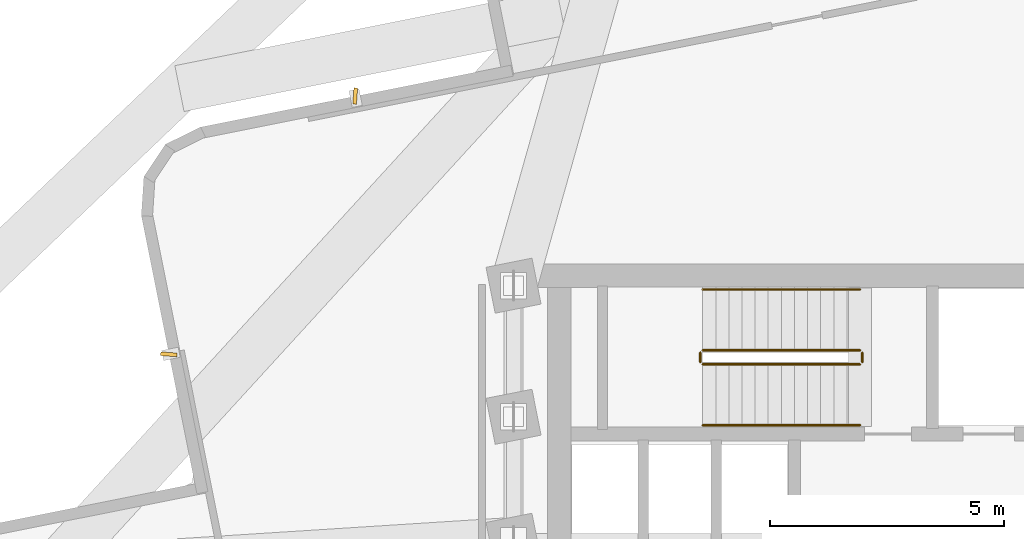
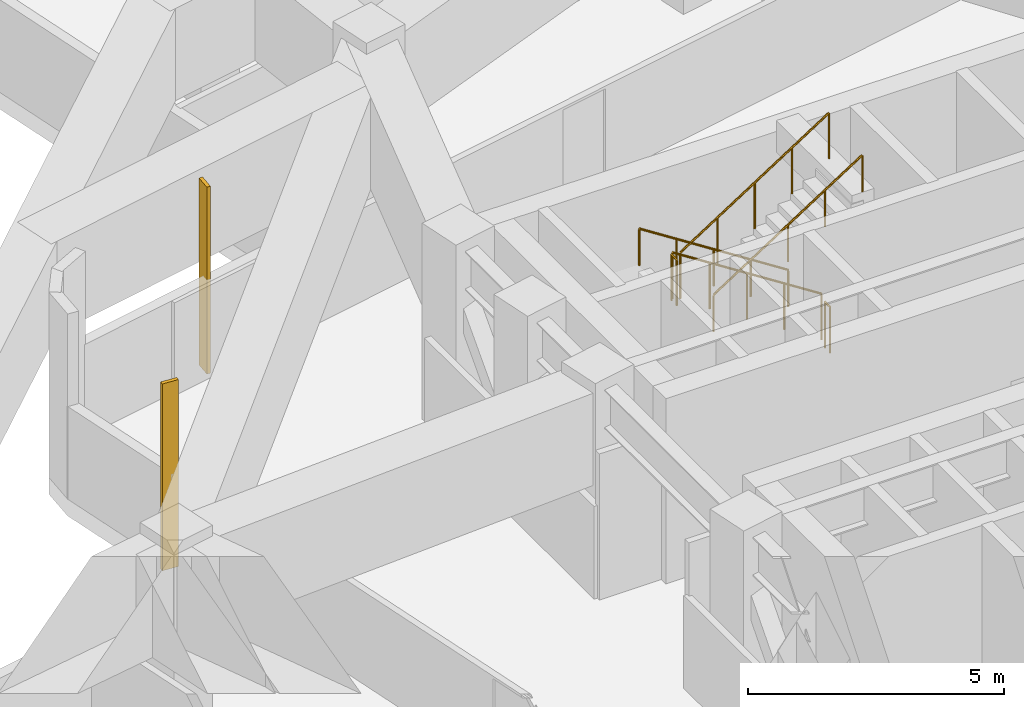
# One storey, part 7 of 7: 6 railings, 2 shading devices.
"""IFC4 building model written with IfcOpenShell, lengths in metres."""

import ifcopenshell
import ifcopenshell.guid

model = None  # the IFC model being written
_history = None  # IfcOwnerHistory: only IFC2X3 demands one
_inside = {}  # id of a spatial element -> (the spatial element, [elements in it])
_under = {}  # id of a project, library or spatial element -> (it, [spatial elements below it])
_declared = {}  # id of a project -> (the project, [libraries it declares])
_typed = {}  # id of a type object -> (the type object, [elements of that type])
_made_of = {}  # id of a material, layer set ... -> (it, [elements and type objects made of it])


def new_model(schema):
    """Start an empty IFC model of exactly this schema.

    Asked for "IFC4X3", IfcOpenShell would pick the latest addendum, in which some entities
    have other attributes; the version numbers below select the first issue.
    IFC2X3 requires an IfcOwnerHistory on every rooted entity: one is made here for all.
    """
    global model, _history
    if schema == "IFC4X3":
        model = ifcopenshell.file(schema_version=(4, 3, 0, 0))
    else:
        model = ifcopenshell.file(schema=schema)
    _inside.clear()
    _under.clear()
    _declared.clear()
    _typed.clear()
    _made_of.clear()
    _history = None
    if model.schema == "IFC2X3":
        org = make("IfcOrganization", Name="unknown")
        user = make(
            "IfcPersonAndOrganization",
            ThePerson=make("IfcPerson", FamilyName="unknown"),
            TheOrganization=org,
        )
        app = make(
            "IfcApplication",
            ApplicationDeveloper=org,
            Version="unknown",
            ApplicationFullName="unknown",
            ApplicationIdentifier="unknown",
        )
        _history = make(
            "IfcOwnerHistory",
            OwningUser=user,
            OwningApplication=app,
            ChangeAction="ADDED",
            CreationDate=0,
        )
    return model


def make(cls, **values):
    """One entity of the class cls with the attributes given. An attribute that is None is left unset."""
    return model.create_entity(
        cls, **{name: value for name, value in values.items() if value is not None}
    )


def rooted(cls, **values):
    """An entity with a GlobalId (a new one), such as an element, a storey or a relation."""
    return make(cls, GlobalId=ifcopenshell.guid.new(), OwnerHistory=_history, **values)


def si_unit(unit_type, name, prefix=None):
    """IfcSIUnit, for example si_unit("LENGTHUNIT", "METRE", prefix="MILLI")."""
    return make("IfcSIUnit", UnitType=unit_type, Prefix=prefix, Name=name)


def assignment(units):
    """IfcUnitAssignment: the units of a project."""
    return None if units is None else make("IfcUnitAssignment", Units=units)


def point(xyz):
    """IfcCartesianPoint."""
    return None if xyz is None else make("IfcCartesianPoint", Coordinates=xyz)


def direction(xyz):
    """IfcDirection."""
    return None if xyz is None else make("IfcDirection", DirectionRatios=xyz)


def frame(location, z_axis=None, x_axis=None):
    """IfcAxis2Placement3D, a coordinate frame: its origin and axes. An axis left out is left unset."""
    return make(
        "IfcAxis2Placement3D",
        Location=point(location),
        Axis=direction(z_axis),
        RefDirection=direction(x_axis),
    )


def frame_2d(location, x_axis=None):
    """IfcAxis2Placement2D, a coordinate frame in the plane: its origin and x axis."""
    return make(
        "IfcAxis2Placement2D", Location=point(location), RefDirection=direction(x_axis)
    )


def origin():
    """The frame at (0, 0, 0) with its axes left unset."""
    return frame((0.0, 0.0, 0.0))


def origin_2d():
    """The frame at (0, 0) in the plane with its x axis left unset."""
    return frame_2d((0.0, 0.0))


def place(relative_to, where):
    """IfcLocalPlacement: puts the frame where relative to a parent placement (None: the world)."""
    return make(
        "IfcLocalPlacement", PlacementRelTo=relative_to, RelativePlacement=where
    )


def context(
    kind, dimensions, precision=None, world=None, true_north=None, identifier=None
):
    """IfcGeometricRepresentationContext, for example the 3D "Model" context."""
    return make(
        "IfcGeometricRepresentationContext",
        ContextIdentifier=identifier,
        ContextType=kind,
        CoordinateSpaceDimension=dimensions,
        Precision=precision,
        WorldCoordinateSystem=world,
        TrueNorth=true_north,
    )


def subcontext(parent, identifier, kind, view, scale=None):
    """IfcGeometricRepresentationSubContext, for example "Body" below "Model"."""
    return make(
        "IfcGeometricRepresentationSubContext",
        ContextIdentifier=identifier,
        ContextType=kind,
        ParentContext=parent,
        TargetScale=scale,
        TargetView=view,
    )


def project(units=None, contexts=None):
    """IfcProject with its units and contexts."""
    return rooted(
        "IfcProject",
        Name="project",
        RepresentationContexts=contexts,
        UnitsInContext=assignment(units),
    )


def spatial(cls, under=None, at=None, **own):
    """A site, building, storey or space (cls), placed at a placement, below another one or the project."""
    s = rooted(cls, ObjectPlacement=at, **own)
    if under is not None:
        _under.setdefault(under.id(), (under, []))[1].append(s)
    return s


def profile(cls, at=None, kind="AREA", **sizes):
    """A parametric profile (cls). Its sizes go by their IFC names, for example OverallWidth=200.0."""
    return make(cls, ProfileType=kind, Position=at, **sizes)


def rectangle(**sizes):
    """IfcRectangleProfileDef."""
    return profile("IfcRectangleProfileDef", **sizes)


def circle(**sizes):
    """IfcCircleProfileDef."""
    return profile("IfcCircleProfileDef", **sizes)


def extrude(swept, where, along, depth):
    """IfcExtrudedAreaSolid: the profile swept, set in the frame where, extruded along a direction by depth."""
    return make(
        "IfcExtrudedAreaSolid",
        SweptArea=swept,
        Position=where,
        ExtrudedDirection=direction(along),
        Depth=depth,
    )


def shape(context_of_items, identifier, shape_type, items):
    """IfcShapeRepresentation: the items that make up one representation, for example the "Body"."""
    return make(
        "IfcShapeRepresentation",
        ContextOfItems=context_of_items,
        RepresentationIdentifier=identifier,
        RepresentationType=shape_type,
        Items=items,
    )


def material(Name=None, Category=None):
    """IfcMaterial."""
    return make("IfcMaterial", Name=Name, Category=Category)


def layer(
    of_material, thickness, ventilated=None, Name=None, Category=None, Priority=None
):
    """IfcMaterialLayer: one layer of a wall or slab, of a material (None: an air gap)."""
    return make(
        "IfcMaterialLayer",
        Material=of_material,
        LayerThickness=thickness,
        IsVentilated=ventilated,
        Name=Name,
        Category=Category,
        Priority=Priority,
    )


def layer_set(layers, Name=None):
    """IfcMaterialLayerSet."""
    return make("IfcMaterialLayerSet", MaterialLayers=layers, LayerSetName=Name)


def made_of(thing, what):
    """Note that an element or type object is made of a material, layer set ...; save() writes the relation."""
    if what is not None:
        _made_of.setdefault(what.id(), (what, []))[1].append(thing)
    return thing


def type_object(cls, material=None, **own):
    """A type object (cls), such as IfcWallType, which elements share."""
    return made_of(rooted(cls, **own), material)


def element(
    cls,
    number,
    at=None,
    inside=None,
    cuts=None,
    type_object=None,
    material=None,
    context=None,
    identifier="Body",
    shape_type=None,
    held_by="IfcProductDefinitionShape",
    body=None,
    shapes=None,
    **own,
):
    """One element of the class cls, such as IfcWall. Its Tag is "e" and its number.

    at: its placement. inside: the storey or other place that contains it. cuts: it is an
    opening in that element (IfcRelVoidsElement). A single representation is given by context,
    identifier, shape_type and body (its items); several are given by shapes. held_by: the class
    of the entity that holds the representations. save() writes the other relations.
    """
    e = rooted(cls, Tag="e%d" % number, ObjectPlacement=at, **own)
    if body is not None:
        shapes = [shape(context, identifier, shape_type, body)]
    if shapes is not None:
        e.Representation = make(held_by, Representations=shapes)
    if inside is not None:
        _inside.setdefault(inside.id(), (inside, []))[1].append(e)
    if cuts is not None:
        rooted(
            "IfcRelVoidsElement", RelatingBuildingElement=cuts, RelatedOpeningElement=e
        )
    if type_object is not None:
        _typed.setdefault(type_object.id(), (type_object, []))[1].append(e)
    return made_of(e, material)


def aggregate(whole, parts):
    """IfcRelAggregates: a whole, such as a stair, and the parts it consists of."""
    return rooted("IfcRelAggregates", RelatingObject=whole, RelatedObjects=parts)


def save(model, path):
    """Write the relations noted so far, then the file.

    IfcRelAggregates (storeys below a building ...), IfcRelContainedInSpatialStructure (elements
    in a storey), IfcRelDefinesByType, IfcRelAssociatesMaterial and IfcRelDeclares: one each for
    every whole, place, type object, material and project.
    """
    for whole, parts in _under.values():
        aggregate(whole, parts)
    for where, things in _inside.values():
        rooted(
            "IfcRelContainedInSpatialStructure",
            RelatedElements=things,
            RelatingStructure=where,
        )
    for kind, things in _typed.values():
        rooted("IfcRelDefinesByType", RelatedObjects=things, RelatingType=kind)
    for what, things in _made_of.values():
        rooted("IfcRelAssociatesMaterial", RelatedObjects=things, RelatingMaterial=what)
    for by, libraries in _declared.values():
        rooted("IfcRelDeclares", RelatingContext=by, RelatedDefinitions=libraries)
    model.write(path)


model = new_model("IFC4")

# Units and contexts
model_context = context("Model", 3, precision=1e-05, world=origin(), true_north=direction((0.0, 1.0)))
body_context = subcontext(model_context, "Body", "Model", "MODEL_VIEW")
ifc_project = project(units=[si_unit("LENGTHUNIT", "METRE"), si_unit("AREAUNIT", "SQUARE_METRE"), si_unit("VOLUMEUNIT", "CUBIC_METRE"), si_unit("PLANEANGLEUNIT", "RADIAN"), si_unit("MASSUNIT", "GRAM", prefix="KILO")], contexts=[model_context])

# Site, building, storey
site_placement = place(None, origin())
site = spatial("IfcSite", under=ifc_project, at=site_placement, CompositionType="ELEMENT")
building_placement = place(site_placement, origin())
building = spatial("IfcBuilding", under=site, at=building_placement, Name="Solmarez Civic Tower", CompositionType="ELEMENT")
storey_placement = place(building_placement, frame((0.0, 0.0, 107.280029296875)))
storey = spatial("IfcBuildingStorey", under=building, at=storey_placement, Name="L28", CompositionType="ELEMENT", Elevation=107.280029296875)

# Railings
ifc_material_1 = material(Name="Painted Steel Stairwell Safety Guard", Category="steel")
railing_type_1 = type_object("IfcRailingType", Name="GUARD-STAIR-1120", PredefinedType="BALUSTRADE", material=ifc_material_1)
railing_1_placement = place(storey_placement, frame((-1.449951171875, 6.969970703125, 0.179931640625)))
element("IfcRailing", 1, at=railing_1_placement, inside=storey, type_object=railing_type_1, Name="L28 ST-1 stair guard 1", PredefinedType="BALUSTRADE", context=body_context, shape_type="SweptSolid", body=[
    extrude(circle(Radius=0.02392578125, at=origin_2d()), frame((0.0, 0.0, 1.09619140625), z_axis=(-0.8411685463, 0.0, 0.540773036232), x_axis=(0.0, -1.0, 0.0)), (0.0, 0.0, 1.0), 3.99462890625),
    extrude(circle(Radius=0.02099609375, at=origin_2d()), origin(), (0.0, 0.0, 1.0), 1.072021484375),
    extrude(circle(Radius=0.02099609375, at=origin_2d()), frame((-0.840087890625, 0.0, 0.5400390625)), (0.0, 0.0, 1.0), 1.072021484375),
    extrude(circle(Radius=0.02099609375, at=origin_2d()), frame((-1.68017578125, 0.0, 1.080078125)), (0.0, 0.0, 1.0), 1.072021484375),
    extrude(circle(Radius=0.02099609375, at=origin_2d()), frame((-2.52001953125, 0.0, 1.6201171875)), (0.0, 0.0, 1.0), 1.072021484375),
    extrude(circle(Radius=0.02099609375, at=origin_2d()), frame((-3.360107421875, 0.0, 2.16015625)), (0.0, 0.0, 1.0), 1.072021484375),
])
railing_2_placement = place(storey_placement, frame((-4.860107421875, 6.919921875, 2.340087890625)))
element("IfcRailing", 2, at=railing_2_placement, inside=storey, type_object=railing_type_1, Name="L28 ST-1 stair guard 2", PredefinedType="BALUSTRADE", context=body_context, shape_type="SweptSolid", body=[
    extrude(circle(Radius=0.02392578125, at=origin_2d()), frame((0.0, 0.0, 1.09619140625), z_axis=(0.0, -1.0, 0.0), x_axis=(1.0, 0.0, 0.0)), (0.0, 0.0, 1.0), 0.199951171875),
    extrude(circle(Radius=0.02099609375, at=origin_2d()), origin(), (0.0, 0.0, 1.0), 1.072021484375),
    extrude(circle(Radius=0.02099609375, at=origin_2d()), frame((0.0, -0.199951171875, 0.0)), (0.0, 0.0, 1.0), 1.072021484375),
])
railing_3_placement = place(storey_placement, frame((-4.81005859375, 6.669921875, 2.52001953125)))
element("IfcRailing", 3, at=railing_3_placement, inside=storey, type_object=railing_type_1, Name="L28 ST-1 stair guard 3", PredefinedType="BALUSTRADE", context=body_context, shape_type="SweptSolid", body=[
    extrude(circle(Radius=0.02392578125, at=origin_2d()), frame((0.0, 0.0, 1.09619140625), z_axis=(0.84119634759, 0.0, 0.540729789082), x_axis=(0.0, 1.0, 0.0)), (0.0, 0.0, 1.0), 3.994384765625),
    extrude(circle(Radius=0.02099609375, at=origin_2d()), origin(), (0.0, 0.0, 1.0), 1.072021484375),
    extrude(circle(Radius=0.02099609375, at=origin_2d()), frame((0.840087890625, 0.0, 0.5400390625)), (0.0, 0.0, 1.0), 1.072021484375),
    extrude(circle(Radius=0.02099609375, at=origin_2d()), frame((1.68017578125, 0.0, 1.080078125)), (0.0, 0.0, 1.0), 1.072021484375),
    extrude(circle(Radius=0.02099609375, at=origin_2d()), frame((2.52001953125, 0.0, 1.619873046875)), (0.0, 0.0, 1.0), 1.072021484375),
    extrude(circle(Radius=0.02099609375, at=origin_2d()), frame((3.360107421875, 0.0, 2.159912109375)), (0.0, 0.0, 1.0), 1.072021484375),
])
railing_4_placement = place(storey_placement, frame((-1.39990234375, 6.919921875, 0.0)))
element("IfcRailing", 4, at=railing_4_placement, inside=storey, type_object=railing_type_1, Name="L28 ST-1 stair guard 4", PredefinedType="BALUSTRADE", context=body_context, shape_type="SweptSolid", body=[
    extrude(circle(Radius=0.02392578125, at=origin_2d()), frame((0.0, 0.0, 1.09619140625), z_axis=(0.0, -1.0, 0.0), x_axis=(1.0, 0.0, 0.0)), (0.0, 0.0, 1.0), 0.199951171875),
    extrude(circle(Radius=0.02099609375, at=origin_2d()), origin(), (0.0, 0.0, 1.0), 1.072021484375),
    extrude(circle(Radius=0.02099609375, at=origin_2d()), frame((0.0, -0.199951171875, 0.0)), (0.0, 0.0, 1.0), 1.072021484375),
])
ifc_material_2 = material(Name="Brushed Stainless Steel Tube Handrail", Category="steel")
railing_type_2 = type_object("IfcRailingType", Name="HANDRAIL-STAIR-900", PredefinedType="HANDRAIL", material=ifc_material_2)
railing_5_placement = place(storey_placement, frame((-1.449951171875, 8.27001953125, 0.179931640625)))
element("IfcRailing", 5, at=railing_5_placement, inside=storey, type_object=railing_type_2, Name="L28 ST-1 stair handrail 1", PredefinedType="HANDRAIL", context=body_context, shape_type="SweptSolid", body=[
    extrude(circle(Radius=0.02392578125, at=origin_2d()), frame((0.0, 0.0, 0.8759765625), z_axis=(-0.8411685463, 0.0, 0.540773036232), x_axis=(0.0, -1.0, 0.0)), (0.0, 0.0, 1.0), 3.99462890625),
    extrude(circle(Radius=0.02099609375, at=origin_2d()), origin(), (0.0, 0.0, 1.0), 0.851806640625),
    extrude(circle(Radius=0.02099609375, at=origin_2d()), frame((-0.840087890625, 0.0, 0.5400390625)), (0.0, 0.0, 1.0), 0.851806640625),
    extrude(circle(Radius=0.02099609375, at=origin_2d()), frame((-1.68017578125, 0.0, 1.080078125)), (0.0, 0.0, 1.0), 0.851806640625),
    extrude(circle(Radius=0.02099609375, at=origin_2d()), frame((-2.52001953125, 0.0, 1.6201171875)), (0.0, 0.0, 1.0), 0.851806640625),
    extrude(circle(Radius=0.02099609375, at=origin_2d()), frame((-3.360107421875, 0.0, 2.16015625)), (0.0, 0.0, 1.0), 0.851806640625),
])
railing_6_placement = place(storey_placement, frame((-4.81005859375, 5.3701171875, 2.52001953125)))
element("IfcRailing", 6, at=railing_6_placement, inside=storey, type_object=railing_type_2, Name="L28 ST-1 stair handrail 2", PredefinedType="HANDRAIL", context=body_context, shape_type="SweptSolid", body=[
    extrude(circle(Radius=0.02392578125, at=origin_2d()), frame((0.0, 0.0, 0.8759765625), z_axis=(0.84119634759, 0.0, 0.540729789082), x_axis=(0.0, 1.0, 0.0)), (0.0, 0.0, 1.0), 3.994384765625),
    extrude(circle(Radius=0.02099609375, at=origin_2d()), origin(), (0.0, 0.0, 1.0), 0.851806640625),
    extrude(circle(Radius=0.02099609375, at=origin_2d()), frame((0.840087890625, 0.0, 0.5400390625)), (0.0, 0.0, 1.0), 0.851806640625),
    extrude(circle(Radius=0.02099609375, at=origin_2d()), frame((1.68017578125, 0.0, 1.080078125)), (0.0, 0.0, 1.0), 0.851806640625),
    extrude(circle(Radius=0.02099609375, at=origin_2d()), frame((2.52001953125, 0.0, 1.619873046875)), (0.0, 0.0, 1.0), 0.851806640625),
    extrude(circle(Radius=0.02099609375, at=origin_2d()), frame((3.360107421875, 0.0, 2.159912109375)), (0.0, 0.0, 1.0), 0.851806640625),
])

# Shading devices
ifc_material_3 = material(Name="Bronze Anodised Aluminium EN AW-6063 T6", Category="aluminium")
ifc_layer = layer(ifc_material_3, 0.080078125)
ifc_layer_set = layer_set([ifc_layer], Name="Bronze Anodised Aluminium EN AW-6063 T6")
shading_device_type = type_object("IfcShadingDeviceType", Name="LOUVRE-PLANT-1", PredefinedType="USERDEFINED", material=ifc_layer_set)
for number, where, z_axis, x_axis, name in (
    (7, (-16.214111328125, 6.884033203125, -0.0400390625), (0.0, 0.0, 1.0), (-0.997420778187, 0.071775979553, 0.0), "L28 Acoustic Plant Louvre LVR-L28-04"),
    (8, (-12.23388671875, 12.402099609375, -0.0400390625), (0.0, 0.0, 1.0), (0.071793387819, 0.997419525308, 0.0), "L28 Acoustic Plant Louvre LVR-L28-05"),
):
    element("IfcShadingDevice", number, at=place(storey_placement, frame(where, z_axis=z_axis, x_axis=x_axis)), inside=storey, type_object=shading_device_type, Name=name, ObjectType="LOUVRE", PredefinedType="USERDEFINED", context=body_context, shape_type="SweptSolid", body=[
        extrude(rectangle(XDim=0.35009765625, YDim=0.080078125, at=origin_2d()), origin(), (0.0, 0.0, 1.0), 4.4599609375),
    ])

save(model, "model.ifc")
